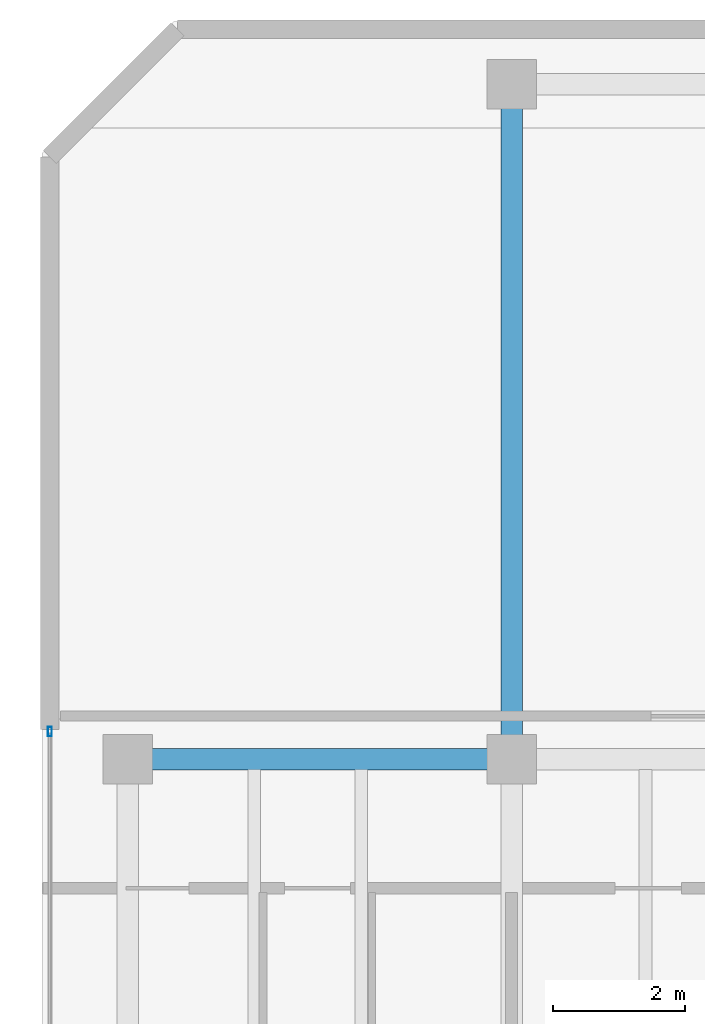
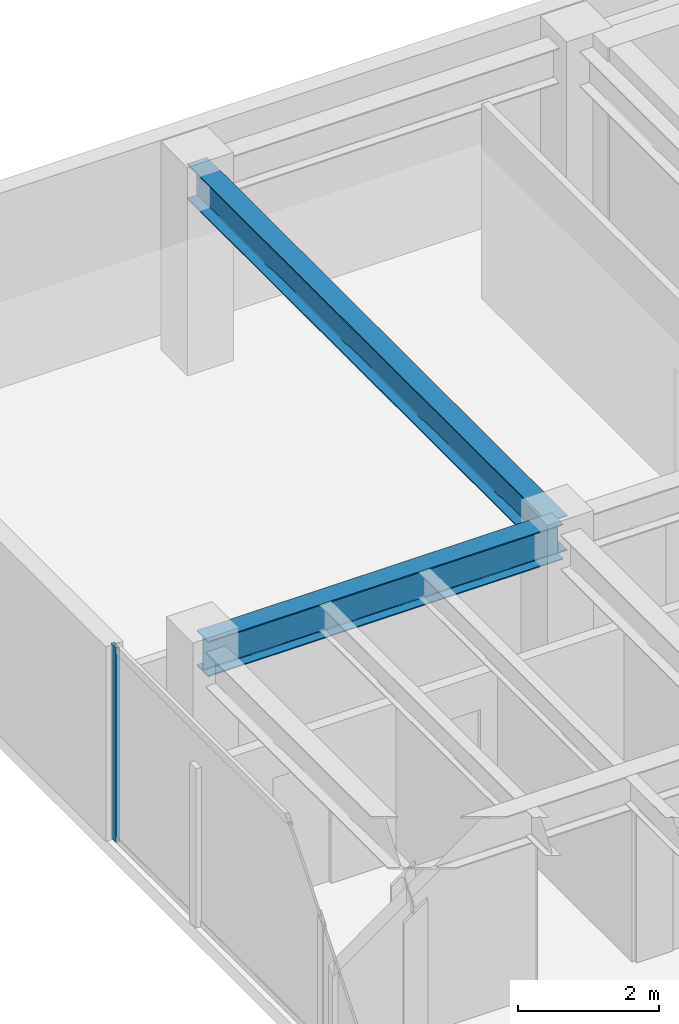
# One storey, part 10 of 17: 2 beams, 1 member, 1 element without a shape of its own.
"""IFC4 building model written with IfcOpenShell, lengths in metres."""

from ifc_helpers import new_model, si_unit, direction, frame, origin, origin_2d, place, context, subcontext, project, spatial, hollow_rectangle, i_section, extrude, material, layer, layer_set, material_profile, profile_set, type_object, element, aggregate, save


model = new_model("IFC4")

# Units and contexts
model_context = context("Model", 3, precision=1e-05, world=origin(), true_north=direction((0.0, 1.0)))
body_context = subcontext(model_context, "Body", "Model", "MODEL_VIEW")
ifc_project = project(units=[si_unit("LENGTHUNIT", "METRE"), si_unit("AREAUNIT", "SQUARE_METRE"), si_unit("VOLUMEUNIT", "CUBIC_METRE"), si_unit("PLANEANGLEUNIT", "RADIAN"), si_unit("MASSUNIT", "GRAM", prefix="KILO")], contexts=[model_context])

# Site, building, storey
site_placement = place(None, origin())
site = spatial("IfcSite", under=ifc_project, at=site_placement, CompositionType="ELEMENT")
building_placement = place(site_placement, origin())
building = spatial("IfcBuilding", under=site, at=building_placement, Name="Kravanh Interchange Tower", CompositionType="ELEMENT")
storey_placement = place(building_placement, frame((0.0, 0.0, 282.300048828125)))
storey = spatial("IfcBuildingStorey", under=building, at=storey_placement, Name="L69", CompositionType="ELEMENT", Elevation=282.300048828125)

# Curtain wall, member
ifc_material_1 = material(Name="Anodised Bronze Aluminium", Category="aluminium")
ifc_layer = layer(ifc_material_1, 0.179931640625)
ifc_layer_set = layer_set([ifc_layer], Name="Unitised Curtain Wall System CW-HTL Luxury Hotel")
curtain_wall_type = type_object("IfcCurtainWallType", Name="Unitised Curtain Wall System CW-HTL Luxury Hotel", PredefinedType="NOTDEFINED", material=ifc_layer_set)
curtain_wall_placement = place(storey_placement, origin())
curtain_wall = element("IfcCurtainWall", 1, at=curtain_wall_placement, inside=storey, type_object=curtain_wall_type, Name="L69 Unitised Curtain Wall CW-L69-01", PredefinedType="NOTDEFINED")
ifc_material_2 = material(Name="Anodised Bronze Aluminium", Category="aluminium")
ifc_material_profile_1 = material_profile(ifc_material_2, hollow_rectangle(XDim=0.06005859375, YDim=0.139892578125, WallThickness=0.00390625, at=origin_2d()), Name="ALU60X140X4")
ifc_profile_set_1 = profile_set([ifc_material_profile_1], Name="Anodised Bronze Aluminium")
member_type = type_object("IfcMemberType", Name="Curtain Wall Mullion ALU60X140X4 Bronze", PredefinedType="MULLION", material=ifc_profile_set_1)
member_placement = place(storey_placement, frame((31.6201171875, 37.77001953125, 0.0), z_axis=(0.0, 0.0, 1.0), x_axis=(-1.0, 0.0, 0.0)))
member = element("IfcMember", 2, at=member_placement, type_object=member_type, Name="CW-HTL mullion 4", PredefinedType="MULLION", context=body_context, shape_type="SweptSolid", body=[
    extrude(hollow_rectangle(XDim=0.06005859375, YDim=0.139892578125, WallThickness=0.00390625, at=origin_2d()), origin(), (0.0, 0.0, 1.0), 3.364990234375),
])
aggregate(curtain_wall, [member])

# Beams
ifc_material_3 = material(Name="Structural Steel S355", Category="steel")
ifc_material_profile_2 = material_profile(ifc_material_3, i_section(OverallWidth=0.323974609375, OverallDepth=0.611083984375, WebThickness=0.0126953125, FlangeThickness=0.01904296875, FilletRadius=0.02197265625, at=origin_2d()), Name="W24X104")
ifc_profile_set_2 = profile_set([ifc_material_profile_2], Name="Structural Steel S355")
beam_type = type_object("IfcBeamType", Name="Floor Beam W24X104 Structural Steel S355", PredefinedType="BEAM", material=ifc_profile_set_2)
beam_1_placement = place(storey_placement, frame((38.60009765625, 37.35009765625, 3.0595703125), z_axis=(-1.0, 0.0, 0.0), x_axis=(0.0, -1.0, 0.0)))
element("IfcBeam", 3, at=beam_1_placement, inside=storey, type_object=beam_type, Name="L69 Primary Floor Girder 46", PredefinedType="BEAM", context=body_context, shape_type="SweptSolid", body=[
    extrude(i_section(OverallWidth=0.323974609375, OverallDepth=0.611083984375, WebThickness=0.0126953125, FlangeThickness=0.01904296875, FilletRadius=0.02197265625, at=origin_2d()), origin(), (0.0, 0.0, 1.0), 5.800048828125),
])
beam_2_placement = place(storey_placement, frame((38.60009765625, 37.35009765625, 3.0595703125), z_axis=(0.0, 1.0, 0.0), x_axis=(-1.0, 0.0, 0.0)))
element("IfcBeam", 4, at=beam_2_placement, inside=storey, type_object=beam_type, Name="L69 Primary Floor Girder 47", PredefinedType="BEAM", context=body_context, shape_type="SweptSolid", body=[
    extrude(i_section(OverallWidth=0.323974609375, OverallDepth=0.611083984375, WebThickness=0.0126953125, FlangeThickness=0.01904296875, FilletRadius=0.02197265625, at=origin_2d()), origin(), (0.0, 0.0, 1.0), 10.199951171875),
])

save(model, "model.ifc")
